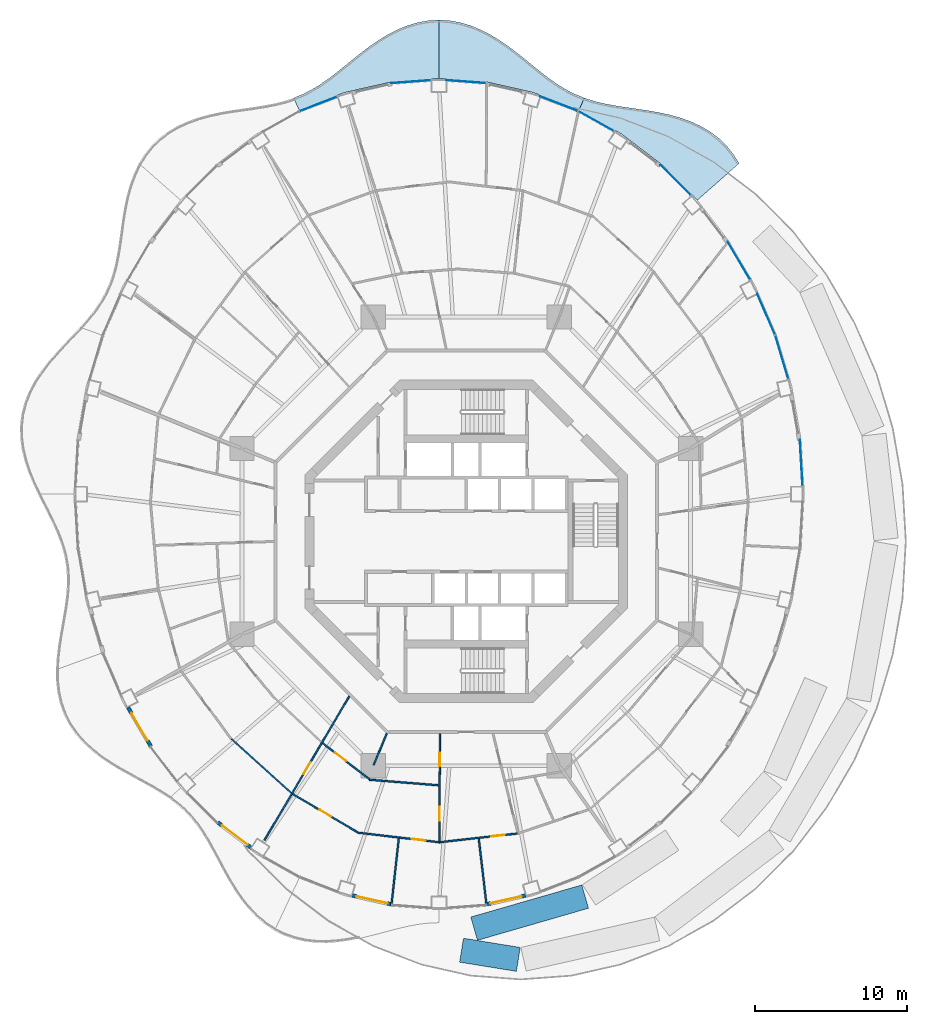
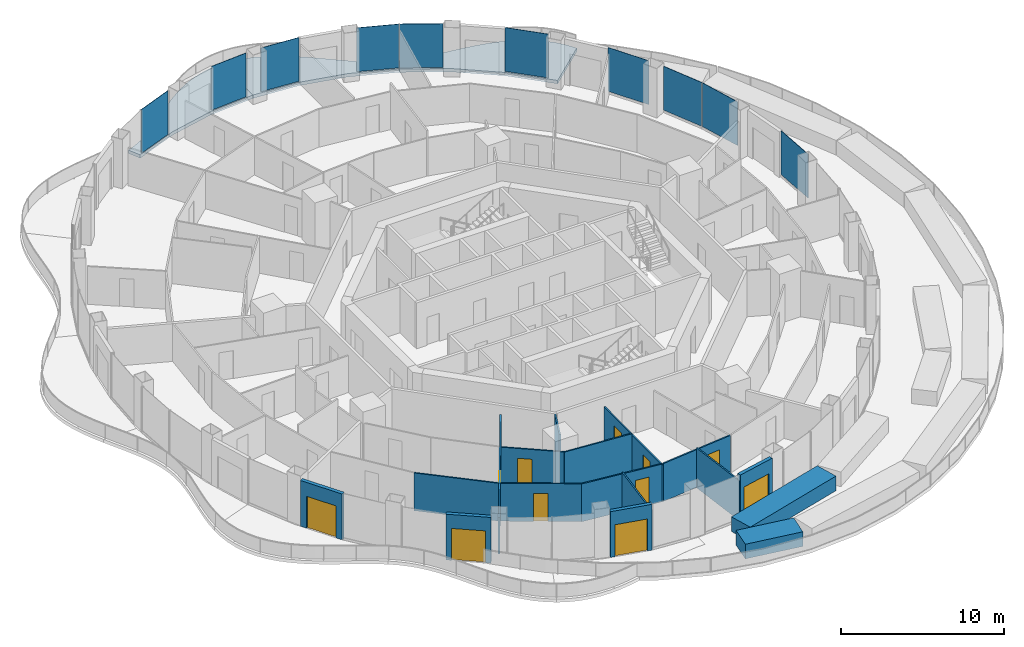
# One storey, part 9 of 18: 17 walls, 11 doors, 10 plates, 3 slabs, 11 openings, 10 elements without a shape of their own.
"""IFC4 building model written with IfcOpenShell, lengths in metres."""

from ifc_helpers import new_model, si_unit, direction, frame, frame_2d, origin, origin_2d, place, context, subcontext, project, spatial, polyline, rectangle, outline, extrude, material, layer, layer_set, type_object, element, fill, aggregate, save


model = new_model("IFC4")

# Units and contexts
model_context = context("Model", 3, precision=1e-05, world=origin(), true_north=direction((0.0, 1.0)))
body_context = subcontext(model_context, "Body", "Model", "MODEL_VIEW")
ifc_project = project(units=[si_unit("LENGTHUNIT", "METRE"), si_unit("AREAUNIT", "SQUARE_METRE"), si_unit("VOLUMEUNIT", "CUBIC_METRE"), si_unit("PLANEANGLEUNIT", "RADIAN"), si_unit("MASSUNIT", "GRAM", prefix="KILO")], contexts=[model_context])

# Site, building, storey
site_placement = place(None, origin())
site = spatial("IfcSite", under=ifc_project, at=site_placement, CompositionType="ELEMENT")
building_placement = place(site_placement, origin())
building = spatial("IfcBuilding", under=site, at=building_placement, Name="Nagisa Residences", CompositionType="ELEMENT")
storey_placement = place(building_placement, frame((0.0, 0.0, 212.199951171875)))
storey = spatial("IfcBuildingStorey", under=building, at=storey_placement, Name="L53", CompositionType="ELEMENT", Elevation=212.199951171875)

# Slabs
ifc_material_1 = material(Name="Concrete C40/50", Category="concrete")
ifc_layer_1 = layer(ifc_material_1, 0.25)
ifc_layer_set_1 = layer_set([ifc_layer_1], Name="BALCONY SLAB 250")
slab_type = type_object("IfcSlabType", Name="BALCONY SLAB 250", PredefinedType="FLOOR", material=ifc_layer_set_1)
slab_1_placement = place(storey_placement, frame((0.0, 0.0, -0.25)))
element("IfcSlab", 1, at=slab_1_placement, inside=storey, type_object=slab_type, Name="slab:L53:bal02", PredefinedType="FLOOR", context=body_context, shape_type="SweptSolid", body=[
    extrude(outline(polyline([(17.9765625, 24.90771484375), (17.5947265625, 25.514404296875), (17.147705078125, 26.068115234375), (16.637451171875, 26.562744140625), (16.067626953125, 26.9951171875), (15.445068359375, 27.3642578125), (14.778076171875, 27.67138671875), (14.07666015625, 27.92138671875), (13.35107421875, 28.12060546875), (12.61279296875, 28.2783203125), (11.87158203125, 28.405517578125), (11.137451171875, 28.514404296875), (10.41845703125, 28.617431640625), (9.720703125, 28.727783203125), (9.048095703125, 28.857421875), (8.40283203125, 29.016845703125), (7.78466796875, 29.21484375), (7.4111328125, 28.4228515625), (10.235107421875, 26.838134765625), (12.852783203125, 24.84765625), (15.219970703125, 22.4853515625), (17.9765625, 24.90771484375)])), origin(), (0.0, 0.0, 1.0), 0.25),
])
slab_2_placement = place(storey_placement, frame((0.0, 0.0, -0.25)))
element("IfcSlab", 2, at=slab_2_placement, inside=storey, type_object=slab_type, Name="slab:L53:bal03", PredefinedType="FLOOR", context=body_context, shape_type="SweptSolid", body=[
    extrude(outline(polyline([(7.78466796875, 29.21484375), (7.211669921875, 29.44775390625), (6.65771484375, 29.72509765625), (6.117431640625, 30.046875), (5.585205078125, 30.41015625), (5.0546875, 30.8095703125), (4.519287109375, 31.23681640625), (3.97314453125, 31.681640625), (3.41162109375, 32.1318359375), (2.830322265625, 32.573974609375), (2.22705078125, 32.993896484375), (1.6005859375, 33.378173828125), (0.9521484375, 33.713134765625), (0.28369140625, 33.9873046875), (-0.401123046875, 34.1904296875), (-1.09765625, 34.3154296875), (-1.800048828125, 34.357666015625), (-1.800048828125, 30.5078125), (1.341796875, 30.2734375), (4.4296875, 29.574462890625), (7.4111328125, 28.4228515625), (7.78466796875, 29.21484375)])), origin(), (0.0, 0.0, 1.0), 0.25),
])
slab_3_placement = place(storey_placement, frame((0.0, 0.0, -0.25)))
element("IfcSlab", 3, at=slab_3_placement, inside=storey, type_object=slab_type, Name="slab:L53:bal04", PredefinedType="FLOOR", context=body_context, shape_type="SweptSolid", body=[
    extrude(outline(polyline([(-1.800048828125, 34.357666015625), (-2.50244140625, 34.3154296875), (-3.19873046875, 34.1904296875), (-3.883544921875, 33.9873046875), (-4.552001953125, 33.713134765625), (-5.20068359375, 33.378173828125), (-5.826904296875, 32.993896484375), (-6.43017578125, 32.573974609375), (-7.011474609375, 32.1318359375), (-7.5732421875, 31.681640625), (-8.119384765625, 31.23681640625), (-8.654541015625, 30.8095703125), (-9.185302734375, 30.41015625), (-9.717529296875, 30.046875), (-10.257568359375, 29.72509765625), (-10.811767578125, 29.44775390625), (-11.384521484375, 29.21484375), (-11.01123046875, 28.4228515625), (-8.02978515625, 29.574462890625), (-4.941650390625, 30.2734375), (-1.800048828125, 30.5078125), (-1.800048828125, 34.357666015625)])), origin(), (0.0, 0.0, 1.0), 0.25),
])

# Curtain wall, plate
ifc_material_2 = material(Name="Concrete-coloured aluminium curtain wall system", Category="concrete")
ifc_layer_2 = layer(ifc_material_2, 0.159912109375)
ifc_layer_set_2 = layer_set([ifc_layer_2], Name="CW1 CURTAIN WALL")
curtain_wall_type = type_object("IfcCurtainWallType", Name="CW1 CURTAIN WALL", PredefinedType="NOTDEFINED", material=ifc_layer_set_2)
curtain_wall_1_placement = place(storey_placement, origin())
curtain_wall_1 = element("IfcCurtainWall", 4, at=curtain_wall_1_placement, inside=storey, type_object=curtain_wall_type, Name="cw:CW1:L53:00", PredefinedType="NOTDEFINED")
ifc_material_3 = material(Name="Clear laminated glass", Category="glass")
ifc_layer_3 = layer(ifc_material_3, 0.028076171875)
ifc_layer_set_3 = layer_set([ifc_layer_3], Name="CW1 GLASS PANEL")
plate_type = type_object("IfcPlateType", Name="CW1 GLASS PANEL", PredefinedType="CURTAIN_PANEL", material=ifc_layer_set_3)
plate_1_placement = place(storey_placement, frame((22.071044921875, 5.18017578125, 0.150146484375), z_axis=(0.0, 0.0, 1.0), x_axis=(-0.057503492216, 0.998345305184, 0.0)))
plate_1 = element("IfcPlate", 5, at=plate_1_placement, type_object=plate_type, Name="CW1 panel", PredefinedType="CURTAIN_PANEL", context=body_context, shape_type="SweptSolid", body=[
    extrude(rectangle(XDim=3.02099609375, YDim=0.028076171875, at=origin_2d()), origin(), (0.0, 0.0, 1.0), 3.2900390625),
])
aggregate(curtain_wall_1, [plate_1])

curtain_wall_2_placement = place(storey_placement, origin())
curtain_wall_2 = element("IfcCurtainWall", 6, at=curtain_wall_2_placement, inside=storey, type_object=curtain_wall_type, Name="cw:CW1:L53:02", PredefinedType="NOTDEFINED")
plate_2_placement = place(storey_placement, frame((20.787109375, 12.1484375, 0.150146484375), z_axis=(0.0, 0.0, 1.0), x_axis=(-0.285860274038, 0.958271310082, 0.0)))
plate_2 = element("IfcPlate", 7, at=plate_2_placement, type_object=plate_type, Name="CW1 panel", PredefinedType="CURTAIN_PANEL", context=body_context, shape_type="SweptSolid", body=[
    extrude(rectangle(XDim=2.98046875, YDim=0.028076171875, at=origin_2d()), origin(), (0.0, 0.0, 1.0), 3.2900390625),
])
aggregate(curtain_wall_2, [plate_2])

curtain_wall_3_placement = place(storey_placement, origin())
curtain_wall_3 = element("IfcCurtainWall", 8, at=curtain_wall_3_placement, inside=storey, type_object=curtain_wall_type, Name="cw:CW1:L53:03", PredefinedType="NOTDEFINED")
plate_3_placement = place(storey_placement, frame((19.755615234375, 14.972412109375, 0.150146484375), z_axis=(0.0, 0.0, 1.0), x_axis=(-0.397635934147, 0.917543276295, 0.0)))
plate_3 = element("IfcPlate", 9, at=plate_3_placement, type_object=plate_type, Name="CW1 panel", PredefinedType="CURTAIN_PANEL", context=body_context, shape_type="SweptSolid", body=[
    extrude(rectangle(XDim=2.942138671875, YDim=0.028076171875, at=origin_2d()), origin(), (0.0, 0.0, 1.0), 3.2900390625),
])
aggregate(curtain_wall_3, [plate_3])

curtain_wall_4_placement = place(storey_placement, origin())
curtain_wall_4 = element("IfcCurtainWall", 10, at=curtain_wall_4_placement, inside=storey, type_object=curtain_wall_type, Name="cw:CW1:L53:04", PredefinedType="NOTDEFINED")
plate_4_placement = place(storey_placement, frame((17.9599609375, 18.503173828125, 0.150146484375), z_axis=(0.0, 0.0, 1.0), x_axis=(-0.506348567002, 0.862328898214, 0.0)))
plate_4 = element("IfcPlate", 11, at=plate_4_placement, type_object=plate_type, Name="CW1 panel", PredefinedType="CURTAIN_PANEL", context=body_context, shape_type="SweptSolid", body=[
    extrude(rectangle(XDim=2.89453125, YDim=0.028076171875, at=origin_2d()), origin(), (0.0, 0.0, 1.0), 3.2900390625),
])
aggregate(curtain_wall_4, [plate_4])

curtain_wall_5_placement = place(storey_placement, origin())
curtain_wall_5 = element("IfcCurtainWall", 12, at=curtain_wall_5_placement, inside=storey, type_object=curtain_wall_type, Name="cw:CW1:L53:06", PredefinedType="NOTDEFINED")
plate_5_placement = place(storey_placement, frame((13.78173828125, 23.8076171875, 0.150146484375), z_axis=(0.0, 0.0, 1.0), x_axis=(-0.707835924016, 0.706376885714, 0.0)))
plate_5 = element("IfcPlate", 13, at=plate_5_placement, type_object=plate_type, Name="CW1 panel", PredefinedType="CURTAIN_PANEL", context=body_context, shape_type="SweptSolid", body=[
    extrude(rectangle(XDim=2.7841796875, YDim=0.028076171875, at=origin_2d()), origin(), (0.0, 0.0, 1.0), 3.2900390625),
])
aggregate(curtain_wall_5, [plate_5])

curtain_wall_6_placement = place(storey_placement, origin())
curtain_wall_6 = element("IfcCurtainWall", 14, at=curtain_wall_6_placement, inside=storey, type_object=curtain_wall_type, Name="cw:CW1:L53:08", PredefinedType="NOTDEFINED")
plate_6_placement = place(storey_placement, frame((8.539794921875, 27.69775390625, 0.150146484375), z_axis=(0.0, 0.0, 1.0), x_axis=(-0.872072377523, 0.489376918501, 0.0)))
plate_6 = element("IfcPlate", 15, at=plate_6_placement, type_object=plate_type, Name="CW1 panel", PredefinedType="CURTAIN_PANEL", context=body_context, shape_type="SweptSolid", body=[
    extrude(rectangle(XDim=2.677978515625, YDim=0.028076171875, at=origin_2d()), origin(), (0.0, 0.0, 1.0), 3.2900390625),
])
aggregate(curtain_wall_6, [plate_6])

curtain_wall_7_placement = place(storey_placement, origin())
curtain_wall_7 = element("IfcCurtainWall", 16, at=curtain_wall_7_placement, inside=storey, type_object=curtain_wall_type, Name="cw:CW1:L53:09", PredefinedType="NOTDEFINED")
plate_7_placement = place(storey_placement, frame((6.096923828125, 28.8447265625, 0.150146484375), z_axis=(0.0, 0.0, 1.0), x_axis=(-0.932825759707, 0.360327770268, 0.0)))
plate_7 = element("IfcPlate", 17, at=plate_7_placement, type_object=plate_type, Name="CW1 panel", PredefinedType="CURTAIN_PANEL", context=body_context, shape_type="SweptSolid", body=[
    extrude(rectangle(XDim=2.63623046875, YDim=0.028076171875, at=origin_2d()), origin(), (0.0, 0.0, 1.0), 3.2900390625),
])
aggregate(curtain_wall_7, [plate_7])

curtain_wall_8_placement = place(storey_placement, origin())
curtain_wall_8 = element("IfcCurtainWall", 18, at=curtain_wall_8_placement, inside=storey, type_object=curtain_wall_type, Name="cw:CW1:L53:11", PredefinedType="NOTDEFINED")
plate_8_placement = place(storey_placement, frame((-0.015625, 30.29443359375, 0.150146484375), z_axis=(0.0, 0.0, 1.0), x_axis=(-0.997230168512, 0.074377355493, 0.0)))
plate_8 = element("IfcPlate", 19, at=plate_8_placement, type_object=plate_type, Name="CW1 panel", PredefinedType="CURTAIN_PANEL", context=body_context, shape_type="SweptSolid", body=[
    extrude(rectangle(XDim=2.590576171875, YDim=0.028076171875, at=origin_2d()), origin(), (0.0, 0.0, 1.0), 3.2900390625),
])
aggregate(curtain_wall_8, [plate_8])

curtain_wall_9_placement = place(storey_placement, origin())
curtain_wall_9 = element("IfcCurtainWall", 20, at=curtain_wall_9_placement, inside=storey, type_object=curtain_wall_type, Name="cw:CW1:L53:12", PredefinedType="NOTDEFINED")
plate_9_placement = place(storey_placement, frame((-3.64404296875, 30.2900390625, 0.150146484375), z_axis=(0.0, 0.0, 1.0), x_axis=(-0.997230168512, -0.074377355493, 0.0)))
plate_9 = element("IfcPlate", 21, at=plate_9_placement, type_object=plate_type, Name="CW1 panel", PredefinedType="CURTAIN_PANEL", context=body_context, shape_type="SweptSolid", body=[
    extrude(rectangle(XDim=2.590576171875, YDim=0.028076171875, at=origin_2d()), origin(), (0.0, 0.0, 1.0), 3.2900390625),
])
aggregate(curtain_wall_9, [plate_9])

curtain_wall_10_placement = place(storey_placement, origin())
curtain_wall_10 = element("IfcCurtainWall", 22, at=curtain_wall_10_placement, inside=storey, type_object=curtain_wall_type, Name="cw:CW1:L53:14", PredefinedType="NOTDEFINED")
plate_10_placement = place(storey_placement, frame((-9.7529296875, 28.822998046875, 0.150146484375), z_axis=(0.0, 0.0, 1.0), x_axis=(-0.932825759707, -0.360327770268, 0.0)))
plate_10 = element("IfcPlate", 23, at=plate_10_placement, type_object=plate_type, Name="CW1 panel", PredefinedType="CURTAIN_PANEL", context=body_context, shape_type="SweptSolid", body=[
    extrude(rectangle(XDim=2.63623046875, YDim=0.028076171875, at=origin_2d()), origin(), (0.0, 0.0, 1.0), 3.2900390625),
])
aggregate(curtain_wall_10, [plate_10])

# Wall
ifc_material_4 = material(Name="Gypsum board on steel studs", Category="steel")
ifc_layer_4 = layer(ifc_material_4, 0.10009765625)
ifc_layer_set_4 = layer_set([ifc_layer_4], Name="Apartment partition 100")
wall_type_1 = type_object("IfcWallType", Name="Apartment partition 100", PredefinedType="PARTITIONING", material=ifc_layer_set_4)
wall_1_placement = place(storey_placement, frame((-15.4736328125, -13.0185546875, 0.0), z_axis=(0.0, 0.0, 1.0), x_axis=(0.742348572616, -0.670013878017, 0.0)))
element("IfcWall", 24, at=wall_1_placement, inside=storey, type_object=wall_type_1, Name="wall:L53:u67", PredefinedType="PARTITIONING", context=body_context, shape_type="SweptSolid", body=[
    extrude(rectangle(XDim=5.3193359375, YDim=0.10009765625, at=frame_2d((2.65966796875, 0.0))), origin(), (0.0, 0.0, 1.0), 2.837158203125),
])

# Wall, opening, door
wall_2_placement = place(storey_placement, frame((-7.708740234375, -10.197509765625, 0.0), z_axis=(0.0, 0.0, 1.0), x_axis=(-0.507355901053, -0.8617366127, 0.0)))
wall_2 = element("IfcWall", 25, at=wall_2_placement, inside=storey, type_object=wall_type_1, Name="wall:L53:u68", PredefinedType="PARTITIONING", context=body_context, shape_type="SweptSolid", body=[
    extrude(rectangle(XDim=11.02490234375, YDim=0.10009765625, at=frame_2d((5.512451171875, 0.0))), origin(), (0.0, 0.0, 1.0), 2.761962890625),
])
opening_1_placement = place(wall_2_placement, frame((5.05029296875, 0.0, 0.0)))
opening_1 = element("IfcOpeningElement", 26, at=opening_1_placement, cuts=wall_2, Name="Opening L53-U37", PredefinedType="OPENING", context=body_context, shape_type="SweptSolid", body=[
    extrude(rectangle(XDim=0.89990234375, YDim=2.10009765625, at=frame_2d((0.449951171875, 1.050048828125))), frame((0.0, 0.06005859375, 0.0), z_axis=(0.0, -1.0, 0.0), x_axis=(1.0, 0.0, 0.0)), (0.0, 0.0, 1.0), 0.1201171875),
])
ifc_material_5 = material(Name="Timber door set", Category="wood")
door_type_1 = type_object("IfcDoorType", Name="Apartment door 900x2100", OperationType="NOTDEFINED", PredefinedType="DOOR", material=ifc_material_5)
door_1_placement = place(opening_1_placement, frame((0.89990234375, 0.0, 0.0), x_axis=(-1.0, 0.0, 0.0)))
door_1 = element("IfcDoor", 27, at=door_1_placement, inside=storey, type_object=door_type_1, Name="Door to kitchen, Apartment 53C", OperationType="SINGLE_SWING_RIGHT", OverallHeight=2.10009765625, OverallWidth=0.89990234375, PredefinedType="DOOR", context=body_context, shape_type="SweptSolid", body=[
    extrude(rectangle(XDim=0.89990234375, YDim=2.10009765625, at=frame_2d((0.449951171875, 1.050048828125))), frame((0.0, 0.02490234375, 0.0), z_axis=(0.0, -1.0, 0.0), x_axis=(1.0, 0.0, 0.0)), (0.0, 0.0, 1.0), 0.050048828125),
])
fill(opening_1, door_1)

wall_3_placement = place(storey_placement, frame((-9.471435546875, -13.289306640625, 0.0), z_axis=(0.0, 0.0, 1.0), x_axis=(0.7922205419, -0.61023488346, 0.0)))
wall_3 = element("IfcWall", 28, at=wall_3_placement, inside=storey, type_object=wall_type_1, Name="wall:L53:u69", PredefinedType="PARTITIONING", context=body_context, shape_type="SweptSolid", body=[
    extrude(rectangle(XDim=3.916015625, YDim=0.10009765625, at=frame_2d((1.9580078125, 0.0))), origin(), (0.0, 0.0, 1.0), 2.837158203125),
])
opening_2_placement = place(wall_3_placement, frame((1.044921875, 0.0, 0.0)))
opening_2 = element("IfcOpeningElement", 29, at=opening_2_placement, cuts=wall_3, Name="Opening L53-U36", PredefinedType="OPENING", context=body_context, shape_type="SweptSolid", body=[
    extrude(rectangle(XDim=0.89990234375, YDim=2.10009765625, at=frame_2d((0.449951171875, 1.050048828125))), frame((0.0, 0.06005859375, 0.0), z_axis=(0.0, -1.0, 0.0), x_axis=(1.0, 0.0, 0.0)), (0.0, 0.0, 1.0), 0.1201171875),
])
door_2_placement = place(opening_2_placement, origin())
door_2 = element("IfcDoor", 30, at=door_2_placement, inside=storey, type_object=door_type_1, Name="Door to laundry, Apartment 53C", OperationType="SINGLE_SWING_RIGHT", OverallHeight=2.10009765625, OverallWidth=0.89990234375, PredefinedType="DOOR", context=body_context, shape_type="SweptSolid", body=[
    extrude(rectangle(XDim=0.89990234375, YDim=2.10009765625, at=frame_2d((0.449951171875, 1.050048828125))), frame((0.0, 0.02490234375, 0.0), z_axis=(0.0, -1.0, 0.0), x_axis=(1.0, 0.0, 0.0)), (0.0, 0.0, 1.0), 0.050048828125),
])
fill(opening_2, door_2)

wall_4_placement = place(storey_placement, frame((-11.444580078125, -16.641357421875, 0.0), z_axis=(0.0, 0.0, 1.0), x_axis=(0.861562560957, -0.507651409489, 0.0)))
wall_4 = element("IfcWall", 31, at=wall_4_placement, inside=storey, type_object=wall_type_1, Name="wall:L53:u70", PredefinedType="PARTITIONING", context=body_context, shape_type="SweptSolid", body=[
    extrude(rectangle(XDim=4.98486328125, YDim=0.10009765625, at=frame_2d((2.492431640625, 0.0))), origin(), (0.0, 0.0, 1.0), 2.837158203125),
])
opening_3_placement = place(wall_4_placement, frame((2.04248046875, 0.0, 0.0)))
opening_3 = element("IfcOpeningElement", 32, at=opening_3_placement, cuts=wall_4, Name="Opening L53-U33", PredefinedType="OPENING", context=body_context, shape_type="SweptSolid", body=[
    extrude(rectangle(XDim=0.89990234375, YDim=2.10009765625, at=frame_2d((0.449951171875, 1.050048828125))), frame((0.0, 0.06005859375, 0.0), z_axis=(0.0, -1.0, 0.0), x_axis=(1.0, 0.0, 0.0)), (0.0, 0.0, 1.0), 0.1201171875),
])
door_3_placement = place(opening_3_placement, frame((0.89990234375, 0.0, 0.0), x_axis=(-1.0, 0.0, 0.0)))
door_3 = element("IfcDoor", 33, at=door_3_placement, inside=storey, type_object=door_type_1, Name="Door to bedroom, Apartment 53C", OperationType="SINGLE_SWING_RIGHT", OverallHeight=2.10009765625, OverallWidth=0.89990234375, PredefinedType="DOOR", context=body_context, shape_type="SweptSolid", body=[
    extrude(rectangle(XDim=0.89990234375, YDim=2.10009765625, at=frame_2d((0.449951171875, 1.050048828125))), frame((0.0, 0.02490234375, 0.0), z_axis=(0.0, -1.0, 0.0), x_axis=(1.0, 0.0, 0.0)), (0.0, 0.0, 1.0), 0.050048828125),
])
fill(opening_3, door_3)

# Walls
wall_5_placement = place(storey_placement, frame((-5.24267578125, -12.6572265625, 0.0), z_axis=(0.0, 0.0, 1.0), x_axis=(-0.382719158442, -0.923864733477, 0.0)))
element("IfcWall", 34, at=wall_5_placement, inside=storey, type_object=wall_type_1, Name="wall:L53:u71", PredefinedType="PARTITIONING", context=body_context, shape_type="SweptSolid", body=[
    extrude(rectangle(XDim=2.25, YDim=0.10009765625, at=frame_2d((1.125, 0.0))), origin(), (0.0, 0.0, 1.0), 3.43994140625),
])
wall_6_placement = place(storey_placement, frame((-6.37939453125, -15.705322265625, 0.0), z_axis=(0.0, 0.0, 1.0), x_axis=(0.996786462227, -0.080104611105, 0.0)))
element("IfcWall", 35, at=wall_6_placement, inside=storey, type_object=wall_type_1, Name="wall:L53:u72", PredefinedType="PARTITIONING", context=body_context, shape_type="SweptSolid", body=[
    extrude(rectangle(XDim=4.58984375, YDim=0.10009765625, at=frame_2d((2.294921875, 0.0))), origin(), (0.0, 0.0, 1.0), 2.837158203125),
])

# Wall, opening, door
wall_7_placement = place(storey_placement, frame((-7.156494140625, -19.19140625, 0.0), z_axis=(0.0, 0.0, 1.0), x_axis=(0.993172627718, -0.116653896424, 0.0)))
wall_7 = element("IfcWall", 36, at=wall_7_placement, inside=storey, type_object=wall_type_1, Name="wall:L53:u73", PredefinedType="PARTITIONING", context=body_context, shape_type="SweptSolid", body=[
    extrude(rectangle(XDim=5.3681640625, YDim=0.10009765625, at=frame_2d((2.68408203125, 0.0))), origin(), (0.0, 0.0, 1.0), 2.837158203125),
])
opening_4_placement = place(wall_7_placement, frame((3.601318359375, 0.0, 0.0)))
opening_4 = element("IfcOpeningElement", 37, at=opening_4_placement, cuts=wall_7, Name="Opening L53-U34", PredefinedType="OPENING", context=body_context, shape_type="SweptSolid", body=[
    extrude(rectangle(XDim=0.89990234375, YDim=2.10009765625, at=frame_2d((0.449951171875, 1.050048828125))), frame((0.0, 0.06005859375, 0.0), z_axis=(0.0, -1.0, 0.0), x_axis=(1.0, 0.0, 0.0)), (0.0, 0.0, 1.0), 0.1201171875),
])
door_4_placement = place(opening_4_placement, frame((0.89990234375, 0.0, 0.0), x_axis=(-1.0, 0.0, 0.0)))
door_4 = element("IfcDoor", 38, at=door_4_placement, inside=storey, type_object=door_type_1, Name="Door to master bedroom, Apartment 53C", OperationType="SINGLE_SWING_LEFT", OverallHeight=2.10009765625, OverallWidth=0.89990234375, PredefinedType="DOOR", context=body_context, shape_type="SweptSolid", body=[
    extrude(rectangle(XDim=0.89990234375, YDim=2.10009765625, at=frame_2d((0.449951171875, 1.050048828125))), frame((0.0, 0.02490234375, 0.0), z_axis=(0.0, -1.0, 0.0), x_axis=(1.0, 0.0, 0.0)), (0.0, 0.0, 1.0), 0.050048828125),
])
fill(opening_4, door_4)

# Wall
wall_8_placement = place(storey_placement, frame((-4.446533203125, -19.56005859375, 0.0), z_axis=(0.0, 0.0, 1.0), x_axis=(-0.109897425445, -0.993942933915, 0.0)))
element("IfcWall", 39, at=wall_8_placement, inside=storey, type_object=wall_type_1, Name="wall:L53:u74", PredefinedType="PARTITIONING", context=body_context, shape_type="SweptSolid", body=[
    extrude(rectangle(XDim=4.46533203125, YDim=0.10009765625, at=frame_2d((2.232666015625, 0.0))), origin(), (0.0, 0.0, 1.0), 2.983154296875),
])

# Wall, openings, doors
wall_9_placement = place(storey_placement, frame((-1.7353515625, -12.664794921875, 0.0), z_axis=(0.0, 0.0, 1.0), x_axis=(-0.005554152823, -0.999984575574, 0.0)))
wall_9 = element("IfcWall", 40, at=wall_9_placement, inside=storey, type_object=wall_type_1, Name="wall:L53:u75", PredefinedType="PARTITIONING", context=body_context, shape_type="SweptSolid", body=[
    extrude(rectangle(XDim=7.208740234375, YDim=0.10009765625, at=frame_2d((3.6044921875, 0.0))), origin(), (0.0, 0.0, 1.0), 2.761962890625),
])
opening_5_placement = place(wall_9_placement, frame((1.256103515625, 0.0, 0.0)))
opening_5 = element("IfcOpeningElement", 41, at=opening_5_placement, cuts=wall_9, Name="Opening L53-U29", PredefinedType="OPENING", context=body_context, shape_type="SweptSolid", body=[
    extrude(rectangle(XDim=0.89990234375, YDim=2.10009765625, at=frame_2d((0.449951171875, 1.050048828125))), frame((0.0, 0.06005859375, 0.0), z_axis=(0.0, -1.0, 0.0), x_axis=(1.0, 0.0, 0.0)), (0.0, 0.0, 1.0), 0.1201171875),
])
opening_6_placement = place(wall_9_placement, frame((4.835693359375, 0.0, 0.0)))
opening_6 = element("IfcOpeningElement", 42, at=opening_6_placement, cuts=wall_9, Name="Opening L53-U31", PredefinedType="OPENING", context=body_context, shape_type="SweptSolid", body=[
    extrude(rectangle(XDim=0.89990234375, YDim=2.10009765625, at=frame_2d((0.449951171875, 1.050048828125))), frame((0.0, 0.06005859375, 0.0), z_axis=(0.0, -1.0, 0.0), x_axis=(1.0, 0.0, 0.0)), (0.0, 0.0, 1.0), 0.1201171875),
])
door_5_placement = place(opening_5_placement, frame((0.89990234375, 0.0, 0.0), x_axis=(-1.0, 0.0, 0.0)))
door_5 = element("IfcDoor", 43, at=door_5_placement, inside=storey, type_object=door_type_1, Name="Door to store, Apartment 53C", OperationType="SINGLE_SWING_RIGHT", OverallHeight=2.10009765625, OverallWidth=0.89990234375, PredefinedType="DOOR", context=body_context, shape_type="SweptSolid", body=[
    extrude(rectangle(XDim=0.89990234375, YDim=2.10009765625, at=frame_2d((0.449951171875, 1.050048828125))), frame((0.0, 0.02490234375, 0.0), z_axis=(0.0, -1.0, 0.0), x_axis=(1.0, 0.0, 0.0)), (0.0, 0.0, 1.0), 0.050048828125),
])
fill(opening_5, door_5)
door_6_placement = place(opening_6_placement, frame((0.89990234375, 0.0, 0.0), x_axis=(-1.0, 0.0, 0.0)))
door_6 = element("IfcDoor", 44, at=door_6_placement, inside=storey, type_object=door_type_1, Name="Door to family room, Apartment 53C", OperationType="SINGLE_SWING_RIGHT", OverallHeight=2.10009765625, OverallWidth=0.89990234375, PredefinedType="DOOR", context=body_context, shape_type="SweptSolid", body=[
    extrude(rectangle(XDim=0.89990234375, YDim=2.10009765625, at=frame_2d((0.449951171875, 1.050048828125))), frame((0.0, 0.02490234375, 0.0), z_axis=(0.0, -1.0, 0.0), x_axis=(1.0, 0.0, 0.0)), (0.0, 0.0, 1.0), 0.050048828125),
])
fill(opening_6, door_6)

# Wall, opening, door
wall_10_placement = place(storey_placement, frame((-1.7255859375, -19.81787109375, 0.0), z_axis=(0.0, 0.0, 1.0), x_axis=(0.99381893047, 0.111013212902, 0.0)))
wall_10 = element("IfcWall", 45, at=wall_10_placement, inside=storey, type_object=wall_type_1, Name="wall:L53:u76", PredefinedType="PARTITIONING", context=body_context, shape_type="SweptSolid", body=[
    extrude(rectangle(XDim=5.113037109375, YDim=0.10009765625, at=frame_2d((2.556640625, 0.0))), origin(), (0.0, 0.0, 1.0), 2.837158203125),
])
opening_7_placement = place(wall_10_placement, frame((3.385009765625, 0.0, 0.0)))
opening_7 = element("IfcOpeningElement", 46, at=opening_7_placement, cuts=wall_10, Name="Opening L53-U35", PredefinedType="OPENING", context=body_context, shape_type="SweptSolid", body=[
    extrude(rectangle(XDim=0.89990234375, YDim=2.10009765625, at=frame_2d((0.449951171875, 1.050048828125))), frame((0.0, 0.06005859375, 0.0), z_axis=(0.0, -1.0, 0.0), x_axis=(1.0, 0.0, 0.0)), (0.0, 0.0, 1.0), 0.1201171875),
])
door_7_placement = place(opening_7_placement, frame((0.89990234375, 0.0, 0.0), x_axis=(-1.0, 0.0, 0.0)))
door_7 = element("IfcDoor", 47, at=door_7_placement, inside=storey, type_object=door_type_1, Name="Door to bedroom, Apartment 53C", OperationType="SINGLE_SWING_RIGHT", OverallHeight=2.10009765625, OverallWidth=0.89990234375, PredefinedType="DOOR", context=body_context, shape_type="SweptSolid", body=[
    extrude(rectangle(XDim=0.89990234375, YDim=2.10009765625, at=frame_2d((0.449951171875, 1.050048828125))), frame((0.0, 0.02490234375, 0.0), z_axis=(0.0, -1.0, 0.0), x_axis=(1.0, 0.0, 0.0)), (0.0, 0.0, 1.0), 0.050048828125),
])
fill(opening_7, door_7)

# Wall
wall_11_placement = place(storey_placement, frame((0.821044921875, -19.583740234375, 0.0), z_axis=(0.0, 0.0, 1.0), x_axis=(0.116120946841, -0.993235080786, 0.0)))
element("IfcWall", 48, at=wall_11_placement, inside=storey, type_object=wall_type_1, Name="wall:L53:u77", PredefinedType="PARTITIONING", context=body_context, shape_type="SweptSolid", body=[
    extrude(rectangle(XDim=4.444580078125, YDim=0.10009765625, at=frame_2d((2.22216796875, 0.0))), origin(), (0.0, 0.0, 1.0), 2.983154296875),
])

# Wall, opening, door
ifc_material_6 = material(Name="Precast concrete C40/50", Category="concrete")
ifc_layer_5 = layer(ifc_material_6, 0.25)
ifc_layer_set_5 = layer_set([ifc_layer_5], Name="BALCONY DOOR WALL 250")
wall_type_2 = type_object("IfcWallType", Name="BALCONY DOOR WALL 250", PredefinedType="SOLIDWALL", material=ifc_layer_set_5)
wall_12_placement = place(storey_placement, frame((-20.788330078125, -13.492919921875, 0.0), z_axis=(0.0, 0.0, 1.0), x_axis=(-0.506294090973, 0.862360883532, 0.0)))
wall_12 = element("IfcWall", 49, at=wall_12_placement, inside=storey, type_object=wall_type_2, Name="wall:L53:bay28", PredefinedType="SOLIDWALL", context=body_context, shape_type="SweptSolid", body=[
    extrude(rectangle(XDim=2.95458984375, YDim=0.25, at=frame_2d((1.477294921875, 0.0))), origin(), (0.0, 0.0, 1.0), 3.43994140625),
])
opening_8_placement = place(wall_12_placement, frame((0.42724609375, 0.0, 0.0)))
opening_8 = element("IfcOpeningElement", 50, at=opening_8_placement, cuts=wall_12, Name="Opening BD-L53-10", PredefinedType="OPENING", context=body_context, shape_type="SweptSolid", body=[
    extrude(rectangle(XDim=2.10009765625, YDim=2.39990234375, at=frame_2d((1.050048828125, 1.199951171875))), frame((0.0, 0.135009765625, 0.0), z_axis=(0.0, -1.0, 0.0), x_axis=(1.0, 0.0, 0.0)), (0.0, 0.0, 1.0), 0.27001953125),
])
ifc_material_7 = material(Name="Aluminium and clear glass", Category="aluminium")
door_type_2 = type_object("IfcDoorType", Name="BALCONY SLIDING DOOR 2100x2400", OperationType="SLIDING_TO_LEFT", PredefinedType="DOOR", material=ifc_material_7)
door_8_placement = place(opening_8_placement, origin())
door_8 = element("IfcDoor", 51, at=door_8_placement, inside=storey, type_object=door_type_2, Name="door:L53:bay28", OperationType="SLIDING_TO_LEFT", OverallHeight=2.39990234375, OverallWidth=2.10009765625, PredefinedType="DOOR", context=body_context, shape_type="SweptSolid", body=[
    extrude(rectangle(XDim=2.10009765625, YDim=2.39990234375, at=frame_2d((1.050048828125, 1.199951171875))), frame((0.0, 0.02490234375, 0.0), z_axis=(0.0, -1.0, 0.0), x_axis=(1.0, 0.0, 0.0)), (0.0, 0.0, 1.0), 0.050048828125),
])
fill(opening_8, door_8)

wall_13_placement = place(storey_placement, frame((-14.157470703125, -20.20068359375, 0.0), z_axis=(0.0, 0.0, 1.0), x_axis=(-0.795990084031, 0.60530966135, 0.0)))
wall_13 = element("IfcWall", 52, at=wall_13_placement, inside=storey, type_object=wall_type_2, Name="wall:L53:bay31", PredefinedType="SOLIDWALL", context=body_context, shape_type="SweptSolid", body=[
    extrude(rectangle(XDim=2.78857421875, YDim=0.25, at=frame_2d((1.394287109375, 0.0))), origin(), (0.0, 0.0, 1.0), 3.43994140625),
])
opening_9_placement = place(wall_13_placement, frame((0.34423828125, 0.0, 0.0)))
opening_9 = element("IfcOpeningElement", 53, at=opening_9_placement, cuts=wall_13, Name="Opening BD-L53-11", PredefinedType="OPENING", context=body_context, shape_type="SweptSolid", body=[
    extrude(rectangle(XDim=2.10009765625, YDim=2.39990234375, at=frame_2d((1.050048828125, 1.199951171875))), frame((0.0, 0.135009765625, 0.0), z_axis=(0.0, -1.0, 0.0), x_axis=(1.0, 0.0, 0.0)), (0.0, 0.0, 1.0), 0.27001953125),
])
door_9_placement = place(opening_9_placement, origin())
door_9 = element("IfcDoor", 54, at=door_9_placement, inside=storey, type_object=door_type_2, Name="door:L53:bay31", OperationType="SLIDING_TO_LEFT", OverallHeight=2.39990234375, OverallWidth=2.10009765625, PredefinedType="DOOR", context=body_context, shape_type="SweptSolid", body=[
    extrude(rectangle(XDim=2.10009765625, YDim=2.39990234375, at=frame_2d((1.050048828125, 1.199951171875))), frame((0.0, 0.02490234375, 0.0), z_axis=(0.0, -1.0, 0.0), x_axis=(1.0, 0.0, 0.0)), (0.0, 0.0, 1.0), 0.050048828125),
])
fill(opening_9, door_9)

wall_14_placement = place(storey_placement, frame((-4.9140625, -23.916015625, 0.0), z_axis=(0.0, 0.0, 1.0), x_axis=(-0.975324089124, 0.220777990694, 0.0)))
wall_14 = element("IfcWall", 55, at=wall_14_placement, inside=storey, type_object=wall_type_2, Name="wall:L53:bay34", PredefinedType="SOLIDWALL", context=body_context, shape_type="SweptSolid", body=[
    extrude(rectangle(XDim=2.666015625, YDim=0.25, at=frame_2d((1.3330078125, 0.0))), origin(), (0.0, 0.0, 1.0), 3.43994140625),
])
opening_10_placement = place(wall_14_placement, frame((0.282958984375, 0.0, 0.0)))
opening_10 = element("IfcOpeningElement", 56, at=opening_10_placement, cuts=wall_14, Name="Opening BD-L53-12", PredefinedType="OPENING", context=body_context, shape_type="SweptSolid", body=[
    extrude(rectangle(XDim=2.10009765625, YDim=2.39990234375, at=frame_2d((1.050048828125, 1.199951171875))), frame((0.0, 0.135009765625, 0.0), z_axis=(0.0, -1.0, 0.0), x_axis=(1.0, 0.0, 0.0)), (0.0, 0.0, 1.0), 0.27001953125),
])
door_10_placement = place(opening_10_placement, origin())
door_10 = element("IfcDoor", 57, at=door_10_placement, inside=storey, type_object=door_type_2, Name="door:L53:bay34", OperationType="SLIDING_TO_LEFT", OverallHeight=2.39990234375, OverallWidth=2.10009765625, PredefinedType="DOOR", context=body_context, shape_type="SweptSolid", body=[
    extrude(rectangle(XDim=2.10009765625, YDim=2.39990234375, at=frame_2d((1.050048828125, 1.199951171875))), frame((0.0, 0.02490234375, 0.0), z_axis=(0.0, -1.0, 0.0), x_axis=(1.0, 0.0, 0.0)), (0.0, 0.0, 1.0), 0.050048828125),
])
fill(opening_10, door_10)

wall_15_placement = place(storey_placement, frame((3.91455078125, -23.327392578125, 0.0), z_axis=(0.0, 0.0, 1.0), x_axis=(-0.975324089124, -0.220777990694, 0.0)))
wall_15 = element("IfcWall", 58, at=wall_15_placement, inside=storey, type_object=wall_type_2, Name="wall:L53:bay37", PredefinedType="SOLIDWALL", context=body_context, shape_type="SweptSolid", body=[
    extrude(rectangle(XDim=2.666015625, YDim=0.25, at=frame_2d((1.3330078125, 0.0))), origin(), (0.0, 0.0, 1.0), 3.43994140625),
])
opening_11_placement = place(wall_15_placement, frame((0.282958984375, 0.0, 0.0)))
opening_11 = element("IfcOpeningElement", 59, at=opening_11_placement, cuts=wall_15, Name="Opening BD-L53-13", PredefinedType="OPENING", context=body_context, shape_type="SweptSolid", body=[
    extrude(rectangle(XDim=2.10009765625, YDim=2.39990234375, at=frame_2d((1.050048828125, 1.199951171875))), frame((0.0, 0.135009765625, 0.0), z_axis=(0.0, -1.0, 0.0), x_axis=(1.0, 0.0, 0.0)), (0.0, 0.0, 1.0), 0.27001953125),
])
door_11_placement = place(opening_11_placement, origin())
door_11 = element("IfcDoor", 60, at=door_11_placement, inside=storey, type_object=door_type_2, Name="door:L53:bay37", OperationType="SLIDING_TO_LEFT", OverallHeight=2.39990234375, OverallWidth=2.10009765625, PredefinedType="DOOR", context=body_context, shape_type="SweptSolid", body=[
    extrude(rectangle(XDim=2.10009765625, YDim=2.39990234375, at=frame_2d((1.050048828125, 1.199951171875))), frame((0.0, 0.02490234375, 0.0), z_axis=(0.0, -1.0, 0.0), x_axis=(1.0, 0.0, 0.0)), (0.0, 0.0, 1.0), 0.050048828125),
])
fill(opening_11, door_11)

# Walls
ifc_material_8 = material(Name="Precast concrete C30/37", Category="concrete")
ifc_layer_6 = layer(ifc_material_8, 1.60009765625)
ifc_layer_set_6 = layer_set([ifc_layer_6], Name="PLANTER")
wall_type_3 = type_object("IfcWallType", Name="PLANTER", PredefinedType="SOLIDWALL", material=ifc_layer_set_6)
wall_16_placement = place(storey_placement, frame((0.51513671875, -25.519775390625, 0.0), z_axis=(0.0, 0.0, 1.0), x_axis=(0.960695754533, 0.277603435177, 0.0)))
element("IfcWall", 61, at=wall_16_placement, inside=storey, type_object=wall_type_3, Name="planter:L53:garden001", PredefinedType="SOLIDWALL", context=body_context, shape_type="SweptSolid", body=[
    extrude(rectangle(XDim=7.615234375, YDim=1.60009765625, at=frame_2d((3.8076171875, 0.0))), origin(), (0.0, 0.0, 1.0), 1.10009765625),
])
wall_17_placement = place(storey_placement, frame((3.427001953125, -27.54345703125, 0.0), z_axis=(0.0, 0.0, 1.0), x_axis=(-0.987120325385, 0.159979571231, 0.0)))
element("IfcWall", 62, at=wall_17_placement, inside=storey, type_object=wall_type_3, Name="planter:L53:garden002", PredefinedType="SOLIDWALL", context=body_context, shape_type="SweptSolid", body=[
    extrude(rectangle(XDim=3.790771484375, YDim=1.60009765625, at=frame_2d((1.8955078125, 0.0))), origin(), (0.0, 0.0, 1.0), 1.10009765625),
])

save(model, "model.ifc")
